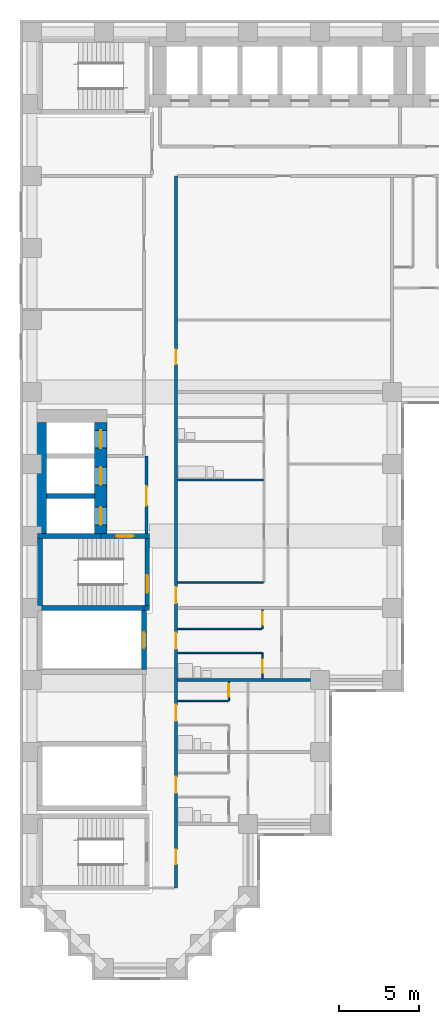
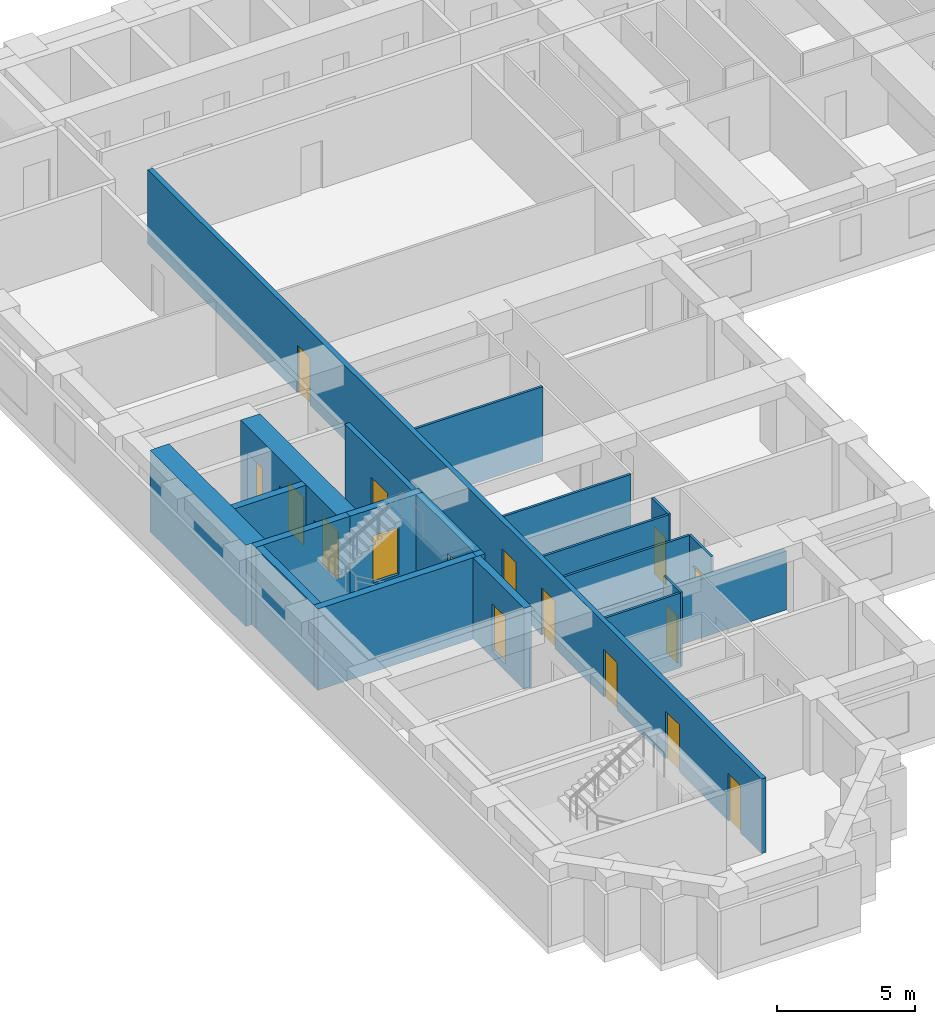
# One storey, part 3 of 12: 21 walls, 16 doors, 16 openings.
"""IFC4 building model written with IfcOpenShell, lengths in metres."""

from ifc_helpers import new_model, si_unit, direction, frame, frame_2d, origin, place, context, subcontext, project, spatial, rectangle, extrude, material, layer, layer_set, type_object, element, fill, save


model = new_model("IFC4")

# Units and contexts
model_context = context("Model", 3, precision=1e-05, world=origin(), true_north=direction((0.0, 1.0)))
body_context = subcontext(model_context, "Body", "Model", "MODEL_VIEW")
ifc_project = project(units=[si_unit("LENGTHUNIT", "METRE"), si_unit("AREAUNIT", "SQUARE_METRE"), si_unit("VOLUMEUNIT", "CUBIC_METRE"), si_unit("PLANEANGLEUNIT", "RADIAN"), si_unit("MASSUNIT", "GRAM", prefix="KILO")], contexts=[model_context])

# Site, building, storey
site_placement = place(None, origin())
site = spatial("IfcSite", under=ifc_project, at=site_placement, CompositionType="ELEMENT")
building_placement = place(site_placement, origin())
building = spatial("IfcBuilding", under=site, at=building_placement, Name="Firuza Court", CompositionType="ELEMENT")
storey_placement = place(building_placement, frame((0.0, 0.0, 39.800048828125)))
storey = spatial("IfcBuildingStorey", under=building, at=storey_placement, Name="L08", CompositionType="ELEMENT", Elevation=39.800048828125)

# Walls
ifc_material_1 = material(Name="Moisture-resistant gypsum board partition")
ifc_layer_1 = layer(ifc_material_1, 0.10009765625)
ifc_layer_set_1 = layer_set([ifc_layer_1], Name="Moisture-resistant gypsum board partition")
wall_type_1 = type_object("IfcWallType", Name="Bathroom partition 100", PredefinedType="PLUMBINGWALL", material=ifc_layer_set_1)
wall_1_placement = place(storey_placement, frame((9.10009765625, 19.699951171875, 0.0), z_axis=(0.0, 0.0, 1.0), x_axis=(1.0, 0.0, 0.0)))
element("IfcWall", 1, at=wall_1_placement, inside=storey, type_object=wall_type_1, Name="Bathroom partition 100 L08", PredefinedType="PLUMBINGWALL", context=body_context, shape_type="SweptSolid", body=[
    extrude(rectangle(XDim=5.25, YDim=0.10009765625, at=frame_2d((2.625, 0.0))), origin(), (0.0, 0.0, 1.0), 3.300048828125),
])
wall_2_placement = place(storey_placement, frame((9.10009765625, 30.5, 0.0), z_axis=(0.0, 0.0, 1.0), x_axis=(1.0, 0.0, 0.0)))
element("IfcWall", 2, at=wall_2_placement, inside=storey, type_object=wall_type_1, Name="Bathroom partition 100 L08", PredefinedType="PLUMBINGWALL", context=body_context, shape_type="SweptSolid", body=[
    extrude(rectangle(XDim=5.349853515625, YDim=0.10009765625, at=frame_2d((2.6748046875, 0.0))), origin(), (0.0, 0.0, 1.0), 3.300048828125),
])
ifc_material_2 = material(Name="Concrete C60/75", Category="concrete")
ifc_layer_2 = layer(ifc_material_2, 0.300048828125)
ifc_layer_set_2 = layer_set([ifc_layer_2], Name="Concrete C60/75")
wall_type_2 = type_object("IfcWallType", Name="Core wall 300 C60/75", PredefinedType="SHEAR", material=ifc_layer_set_2)
wall_3_placement = place(storey_placement, frame((0.35009765625, 22.5, -0.300048828125), z_axis=(0.0, 0.0, 1.0), x_axis=(1.0, 0.0, 0.0)))
element("IfcWall", 3, at=wall_3_placement, inside=storey, type_object=wall_type_2, Name="Core wall riser L08", PredefinedType="SHEAR", context=body_context, shape_type="SweptSolid", body=[
    extrude(rectangle(XDim=6.64990234375, YDim=0.300048828125, at=frame_2d((3.324951171875, 0.0))), origin(), (0.0, 0.0, 1.0), 3.60009765625),
])
wall_4_placement = place(storey_placement, frame((0.35009765625, 27.0, -0.300048828125), z_axis=(0.0, 0.0, 1.0), x_axis=(1.0, 0.0, 0.0)))
element("IfcWall", 4, at=wall_4_placement, inside=storey, type_object=wall_type_2, Name="Core wall lift shaft L08", PredefinedType="SHEAR", context=body_context, shape_type="SweptSolid", body=[
    extrude(rectangle(XDim=3.949951171875, YDim=0.300048828125, at=frame_2d((1.97509765625, 0.0))), origin(), (0.0, 0.0, 1.0), 3.60009765625),
])
wall_5_placement = place(storey_placement, frame((0.5, 22.64990234375, -0.300048828125), z_axis=(0.0, 0.0, 1.0), x_axis=(0.0, 1.0, 0.0)))
element("IfcWall", 5, at=wall_5_placement, inside=storey, type_object=wall_type_2, Name="Core wall stair L08", PredefinedType="SHEAR", context=body_context, shape_type="SweptSolid", body=[
    extrude(rectangle(XDim=4.2001953125, YDim=0.300048828125, at=frame_2d((2.10009765625, 0.0))), origin(), (0.0, 0.0, 1.0), 3.60009765625),
])
wall_6_placement = place(storey_placement, frame((0.89990234375, 29.5, -0.300048828125), z_axis=(0.0, 0.0, 1.0), x_axis=(1.0, 0.0, 0.0)))
element("IfcWall", 6, at=wall_6_placement, inside=storey, type_object=wall_type_2, Name="Core wall lift shaft L08", PredefinedType="SHEAR", context=body_context, shape_type="SweptSolid", body=[
    extrude(rectangle(XDim=3.0, YDim=0.300048828125, at=frame_2d((1.5, 0.0))), origin(), (0.0, 0.0, 1.0), 3.60009765625),
])

# Wall, opening, door
wall_7_placement = place(storey_placement, frame((4.300048828125, 27.0, -0.300048828125), z_axis=(0.0, 0.0, 1.0), x_axis=(1.0, 0.0, 0.0)))
wall_7 = element("IfcWall", 7, at=wall_7_placement, inside=storey, type_object=wall_type_2, Name="Core wall stair L08", PredefinedType="SHEAR", context=body_context, shape_type="SweptSolid", body=[
    extrude(rectangle(XDim=3.050048828125, YDim=0.300048828125, at=frame_2d((1.52490234375, 0.0))), origin(), (0.0, 0.0, 1.0), 3.60009765625),
])
opening_1_placement = place(wall_7_placement, frame((0.949951171875, 0.0, 0.300048828125)))
opening_1 = element("IfcOpeningElement", 8, at=opening_1_placement, cuts=wall_7, Name="Opening D08014", PredefinedType="OPENING", context=body_context, shape_type="SweptSolid", body=[
    extrude(rectangle(XDim=1.10009765625, YDim=2.10009765625, at=frame_2d((0.550048828125, 1.050048828125))), frame((0.0, 0.162109375, 0.0), z_axis=(0.0, -1.0, 0.0), x_axis=(1.0, 0.0, 0.0)), (0.0, 0.0, 1.0), 0.323974609375),
])
ifc_material_3 = material(Name="Timber door leaf in hardwood frame", Category="wood")
door_type_1 = type_object("IfcDoorType", Name="Stair door 1100", OperationType="SINGLE_SWING_LEFT", PredefinedType="DOOR", material=ifc_material_3)
door_1_placement = place(opening_1_placement, frame((1.10009765625, 0.0, 0.0), z_axis=(0.0, 0.0, 1.0), x_axis=(-1.0, 0.0, 0.0)))
door_1 = element("IfcDoor", 9, at=door_1_placement, inside=storey, type_object=door_type_1, Name="Fire-fighting lobby door", OperationType="SINGLE_SWING_LEFT", OverallHeight=2.10009765625, OverallWidth=1.10009765625, PredefinedType="DOOR", context=body_context, shape_type="SweptSolid", body=[
    extrude(rectangle(XDim=1.10009765625, YDim=2.10009765625, at=frame_2d((0.550048828125, 1.050048828125))), frame((0.0, 0.02490234375, 0.0), z_axis=(0.0, -1.0, 0.0), x_axis=(1.0, 0.0, 0.0)), (0.0, 0.0, 1.0), 0.050048828125),
])
fill(opening_1, door_1)

wall_8_placement = place(storey_placement, frame((7.0, 18.64990234375, -0.300048828125), z_axis=(0.0, 0.0, 1.0), x_axis=(0.0, 1.0, 0.0)))
wall_8 = element("IfcWall", 10, at=wall_8_placement, inside=storey, type_object=wall_type_2, Name="Core wall riser L08", PredefinedType="SHEAR", context=body_context, shape_type="SweptSolid", body=[
    extrude(rectangle(XDim=3.7001953125, YDim=0.300048828125, at=frame_2d((1.85009765625, 0.0))), origin(), (0.0, 0.0, 1.0), 3.60009765625),
])
opening_2_placement = place(wall_8_placement, frame((1.35009765625, 0.0, 0.300048828125)))
opening_2 = element("IfcOpeningElement", 11, at=opening_2_placement, cuts=wall_8, Name="Opening D08010", PredefinedType="OPENING", context=body_context, shape_type="SweptSolid", body=[
    extrude(rectangle(XDim=1.0, YDim=2.10009765625, at=frame_2d((0.5, 1.050048828125))), frame((0.0, 0.162109375, 0.0), z_axis=(0.0, -1.0, 0.0), x_axis=(1.0, 0.0, 0.0)), (0.0, 0.0, 1.0), 0.323974609375),
])
ifc_material_4 = material(Name="Timber door leaf in hardwood frame", Category="wood")
door_type_2 = type_object("IfcDoorType", Name="Riser door 1000", OperationType="SINGLE_SWING_LEFT", PredefinedType="DOOR", material=ifc_material_4)
door_2_placement = place(opening_2_placement, origin())
door_2 = element("IfcDoor", 12, at=door_2_placement, inside=storey, type_object=door_type_2, Name="Riser door R1", OperationType="SINGLE_SWING_LEFT", OverallHeight=2.10009765625, OverallWidth=1.0, PredefinedType="DOOR", context=body_context, shape_type="SweptSolid", body=[
    extrude(rectangle(XDim=1.0, YDim=2.10009765625, at=frame_2d((0.5, 1.050048828125))), frame((0.0, 0.02490234375, 0.0), z_axis=(0.0, -1.0, 0.0), x_axis=(1.0, 0.0, 0.0)), (0.0, 0.0, 1.0), 0.050048828125),
])
fill(opening_2, door_2)

# Wall
wall_9_placement = place(storey_placement, frame((7.0, 22.5, -0.300048828125), z_axis=(0.0, 0.0, 1.0), x_axis=(1.0, 0.0, 0.0)))
element("IfcWall", 13, at=wall_9_placement, inside=storey, type_object=wall_type_2, Name="Core wall stair L08", PredefinedType="SHEAR", context=body_context, shape_type="SweptSolid", body=[
    extrude(rectangle(XDim=0.35009765625, YDim=0.300048828125, at=frame_2d((0.175048828125, 0.0))), origin(), (0.0, 0.0, 1.0), 3.60009765625),
])

# Wall, opening, door
wall_10_placement = place(storey_placement, frame((7.199951171875, 22.64990234375, -0.300048828125), z_axis=(0.0, 0.0, 1.0), x_axis=(0.0, 1.0, 0.0)))
wall_10 = element("IfcWall", 14, at=wall_10_placement, inside=storey, type_object=wall_type_2, Name="Core wall stair L08", PredefinedType="SHEAR", context=body_context, shape_type="SweptSolid", body=[
    extrude(rectangle(XDim=4.2001953125, YDim=0.300048828125, at=frame_2d((2.10009765625, 0.0))), origin(), (0.0, 0.0, 1.0), 3.60009765625),
])
opening_3_placement = place(wall_10_placement, frame((0.800048828125, 0.0, 0.300048828125)))
opening_3 = element("IfcOpeningElement", 15, at=opening_3_placement, cuts=wall_10, Name="Opening D08015", PredefinedType="OPENING", context=body_context, shape_type="SweptSolid", body=[
    extrude(rectangle(XDim=1.10009765625, YDim=2.10009765625, at=frame_2d((0.550048828125, 1.050048828125))), frame((0.0, 0.162109375, 0.0), z_axis=(0.0, -1.0, 0.0), x_axis=(1.0, 0.0, 0.0)), (0.0, 0.0, 1.0), 0.323974609375),
])
door_3_placement = place(opening_3_placement, origin())
door_3 = element("IfcDoor", 16, at=door_3_placement, inside=storey, type_object=door_type_1, Name="Stair door S2", OperationType="SINGLE_SWING_LEFT", OverallHeight=2.10009765625, OverallWidth=1.10009765625, PredefinedType="DOOR", context=body_context, shape_type="SweptSolid", body=[
    extrude(rectangle(XDim=1.10009765625, YDim=2.10009765625, at=frame_2d((0.550048828125, 1.050048828125))), frame((0.0, 0.02490234375, 0.0), z_axis=(0.0, -1.0, 0.0), x_axis=(1.0, 0.0, 0.0)), (0.0, 0.0, 1.0), 0.050048828125),
])
fill(opening_3, door_3)

# Wall
ifc_layer_3 = layer(ifc_material_2, 0.800048828125)
ifc_layer_set_3 = layer_set([ifc_layer_3], Name="Concrete C60/75")
wall_type_3 = type_object("IfcWallType", Name="Core wall 800 C60/75", PredefinedType="SHEAR", material=ifc_layer_set_3)
wall_11_placement = place(storey_placement, frame((0.5, 27.14990234375, -0.300048828125), z_axis=(0.0, 0.0, 1.0), x_axis=(0.0, 1.0, 0.0)))
element("IfcWall", 17, at=wall_11_placement, inside=storey, type_object=wall_type_3, Name="Core wall lift shaft L08", PredefinedType="SHEAR", context=body_context, shape_type="SweptSolid", body=[
    extrude(rectangle(XDim=6.9501953125, YDim=0.800048828125, at=frame_2d((3.47509765625, 0.0))), origin(), (0.0, 0.0, 1.0), 3.60009765625),
])

# Wall, openings, doors
wall_12_placement = place(storey_placement, frame((4.300048828125, 27.14990234375, -0.300048828125), z_axis=(0.0, 0.0, 1.0), x_axis=(0.0, 1.0, 0.0)))
wall_12 = element("IfcWall", 18, at=wall_12_placement, inside=storey, type_object=wall_type_3, Name="Core wall lift shaft L08", PredefinedType="SHEAR", context=body_context, shape_type="SweptSolid", body=[
    extrude(rectangle(XDim=6.9501953125, YDim=0.800048828125, at=frame_2d((3.47509765625, 0.0))), origin(), (0.0, 0.0, 1.0), 3.60009765625),
])
opening_4_placement = place(wall_12_placement, frame((3.050048828125, 0.0, 0.300048828125)))
opening_4 = element("IfcOpeningElement", 19, at=opening_4_placement, cuts=wall_12, Name="Opening LD-FL1-08", PredefinedType="OPENING", context=body_context, shape_type="SweptSolid", body=[
    extrude(rectangle(XDim=1.10009765625, YDim=2.10009765625, at=frame_2d((0.550048828125, 1.050048828125))), frame((0.0, 0.412109375, 0.0), z_axis=(0.0, -1.0, 0.0), x_axis=(1.0, 0.0, 0.0)), (0.0, 0.0, 1.0), 0.823974609375),
])
opening_5_placement = place(wall_12_placement, frame((0.550048828125, 0.0, 0.300048828125)))
opening_5 = element("IfcOpeningElement", 20, at=opening_5_placement, cuts=wall_12, Name="Opening LD-FL2-08", PredefinedType="OPENING", context=body_context, shape_type="SweptSolid", body=[
    extrude(rectangle(XDim=1.10009765625, YDim=2.10009765625, at=frame_2d((0.550048828125, 1.050048828125))), frame((0.0, 0.412109375, 0.0), z_axis=(0.0, -1.0, 0.0), x_axis=(1.0, 0.0, 0.0)), (0.0, 0.0, 1.0), 0.823974609375),
])
opening_6_placement = place(wall_12_placement, frame((5.35009765625, 0.0, 0.300048828125)))
opening_6 = element("IfcOpeningElement", 21, at=opening_6_placement, cuts=wall_12, Name="Opening LD-SL1-08", PredefinedType="OPENING", context=body_context, shape_type="SweptSolid", body=[
    extrude(rectangle(XDim=1.10009765625, YDim=2.10009765625, at=frame_2d((0.550048828125, 1.050048828125))), frame((0.0, 0.412109375, 0.0), z_axis=(0.0, -1.0, 0.0), x_axis=(1.0, 0.0, 0.0)), (0.0, 0.0, 1.0), 0.823974609375),
])
ifc_material_5 = material(Name="Stainless steel 1.4301 door leaf", Category="steel")
door_type_3 = type_object("IfcDoorType", Name="Lift landing door 1100", OperationType="SLIDING_TO_LEFT", PredefinedType="DOOR", material=ifc_material_5)
door_4_placement = place(opening_4_placement, origin())
door_4 = element("IfcDoor", 22, at=door_4_placement, inside=storey, type_object=door_type_3, Name="Landing door FL1", OperationType="SLIDING_TO_LEFT", OverallHeight=2.10009765625, OverallWidth=1.10009765625, PredefinedType="DOOR", context=body_context, shape_type="SweptSolid", body=[
    extrude(rectangle(XDim=1.10009765625, YDim=2.10009765625, at=frame_2d((0.550048828125, 1.050048828125))), frame((0.0, 0.02490234375, 0.0), z_axis=(0.0, -1.0, 0.0), x_axis=(1.0, 0.0, 0.0)), (0.0, 0.0, 1.0), 0.050048828125),
])
fill(opening_4, door_4)
door_5_placement = place(opening_5_placement, origin())
door_5 = element("IfcDoor", 23, at=door_5_placement, inside=storey, type_object=door_type_3, Name="Landing door FL2", OperationType="SLIDING_TO_LEFT", OverallHeight=2.10009765625, OverallWidth=1.10009765625, PredefinedType="DOOR", context=body_context, shape_type="SweptSolid", body=[
    extrude(rectangle(XDim=1.10009765625, YDim=2.10009765625, at=frame_2d((0.550048828125, 1.050048828125))), frame((0.0, 0.02490234375, 0.0), z_axis=(0.0, -1.0, 0.0), x_axis=(1.0, 0.0, 0.0)), (0.0, 0.0, 1.0), 0.050048828125),
])
fill(opening_5, door_5)
door_6_placement = place(opening_6_placement, origin())
door_6 = element("IfcDoor", 24, at=door_6_placement, inside=storey, type_object=door_type_3, Name="Landing door SL1", OperationType="SLIDING_TO_LEFT", OverallHeight=2.10009765625, OverallWidth=1.10009765625, PredefinedType="DOOR", context=body_context, shape_type="SweptSolid", body=[
    extrude(rectangle(XDim=1.10009765625, YDim=2.10009765625, at=frame_2d((0.550048828125, 1.050048828125))), frame((0.0, 0.02490234375, 0.0), z_axis=(0.0, -1.0, 0.0), x_axis=(1.0, 0.0, 0.0)), (0.0, 0.0, 1.0), 0.050048828125),
])
fill(opening_6, door_6)

ifc_material_6 = material(Name="Blockwork, plastered both sides", Category="masonry")
ifc_layer_4 = layer(ifc_material_6, 0.199951171875)
ifc_layer_set_4 = layer_set([ifc_layer_4], Name="Blockwork, plastered both sides")
wall_type_4 = type_object("IfcWallType", Name="Corridor wall 200", PredefinedType="PARTITIONING", material=ifc_layer_set_4)
wall_13_placement = place(storey_placement, frame((9.0, 5.0, 0.0), z_axis=(0.0, 0.0, 1.0), x_axis=(0.0, 1.0, 0.0)))
wall_13 = element("IfcWall", 25, at=wall_13_placement, inside=storey, type_object=wall_type_4, Name="Corridor wall 200 L08", PredefinedType="PARTITIONING", context=body_context, shape_type="SweptSolid", body=[
    extrude(rectangle(XDim=44.5, YDim=0.199951171875, at=frame_2d((22.25, 0.0))), origin(), (0.0, 0.0, 1.0), 3.300048828125),
])
opening_7_placement = place(wall_13_placement, frame((17.800048828125, 0.0, 0.0)))
opening_7 = element("IfcOpeningElement", 26, at=opening_7_placement, cuts=wall_13, Name="Opening D08019", PredefinedType="OPENING", context=body_context, shape_type="SweptSolid", body=[
    extrude(rectangle(XDim=1.0, YDim=2.10009765625, at=frame_2d((0.5, 1.050048828125))), frame((0.0, 0.11181640625, 0.0), z_axis=(0.0, -1.0, 0.0), x_axis=(1.0, 0.0, 0.0)), (0.0, 0.0, 1.0), 0.223876953125),
])
opening_8_placement = place(wall_13_placement, frame((14.949951171875, 0.0, 0.0)))
opening_8 = element("IfcOpeningElement", 27, at=opening_8_placement, cuts=wall_13, Name="Opening D08020", PredefinedType="OPENING", context=body_context, shape_type="SweptSolid", body=[
    extrude(rectangle(XDim=1.0, YDim=2.10009765625, at=frame_2d((0.5, 1.050048828125))), frame((0.0, 0.11181640625, 0.0), z_axis=(0.0, -1.0, 0.0), x_axis=(1.0, 0.0, 0.0)), (0.0, 0.0, 1.0), 0.223876953125),
])
opening_9_placement = place(wall_13_placement, frame((10.449951171875, 0.0, 0.0)))
opening_9 = element("IfcOpeningElement", 28, at=opening_9_placement, cuts=wall_13, Name="Opening D08021", PredefinedType="OPENING", context=body_context, shape_type="SweptSolid", body=[
    extrude(rectangle(XDim=1.0, YDim=2.10009765625, at=frame_2d((0.5, 1.050048828125))), frame((0.0, 0.11181640625, 0.0), z_axis=(0.0, -1.0, 0.0), x_axis=(1.0, 0.0, 0.0)), (0.0, 0.0, 1.0), 0.223876953125),
])
opening_10_placement = place(wall_13_placement, frame((5.949951171875, 0.0, 0.0)))
opening_10 = element("IfcOpeningElement", 29, at=opening_10_placement, cuts=wall_13, Name="Opening D08022", PredefinedType="OPENING", context=body_context, shape_type="SweptSolid", body=[
    extrude(rectangle(XDim=1.0, YDim=2.10009765625, at=frame_2d((0.5, 1.050048828125))), frame((0.0, 0.11181640625, 0.0), z_axis=(0.0, -1.0, 0.0), x_axis=(1.0, 0.0, 0.0)), (0.0, 0.0, 1.0), 0.223876953125),
])
opening_11_placement = place(wall_13_placement, frame((32.75, 0.0, 0.0)))
opening_11 = element("IfcOpeningElement", 30, at=opening_11_placement, cuts=wall_13, Name="Opening D08023", PredefinedType="OPENING", context=body_context, shape_type="SweptSolid", body=[
    extrude(rectangle(XDim=0.89990234375, YDim=2.10009765625, at=frame_2d((0.449951171875, 1.050048828125))), frame((0.0, 0.11181640625, 0.0), z_axis=(0.0, -1.0, 0.0), x_axis=(1.0, 0.0, 0.0)), (0.0, 0.0, 1.0), 0.223876953125),
])
opening_12_placement = place(wall_13_placement, frame((1.5, 0.0, 0.0)))
opening_12 = element("IfcOpeningElement", 31, at=opening_12_placement, cuts=wall_13, Name="Opening D08024", PredefinedType="OPENING", context=body_context, shape_type="SweptSolid", body=[
    extrude(rectangle(XDim=0.89990234375, YDim=2.10009765625, at=frame_2d((0.449951171875, 1.050048828125))), frame((0.0, 0.11181640625, 0.0), z_axis=(0.0, -1.0, 0.0), x_axis=(1.0, 0.0, 0.0)), (0.0, 0.0, 1.0), 0.223876953125),
])
ifc_material_7 = material(Name="Timber door leaf in hardwood frame", Category="wood")
door_type_4 = type_object("IfcDoorType", Name="Flat entrance door 1000", OperationType="SINGLE_SWING_LEFT", PredefinedType="DOOR", material=ifc_material_7)
door_7_placement = place(opening_7_placement, origin())
door_7 = element("IfcDoor", 32, at=door_7_placement, inside=storey, type_object=door_type_4, Name="Flat entrance door", OperationType="SINGLE_SWING_LEFT", OverallHeight=2.10009765625, OverallWidth=1.0, PredefinedType="DOOR", context=body_context, shape_type="SweptSolid", body=[
    extrude(rectangle(XDim=1.0, YDim=2.10009765625, at=frame_2d((0.5, 1.050048828125))), frame((0.0, 0.02490234375, 0.0), z_axis=(0.0, -1.0, 0.0), x_axis=(1.0, 0.0, 0.0)), (0.0, 0.0, 1.0), 0.050048828125),
])
fill(opening_7, door_7)
door_8_placement = place(opening_8_placement, origin())
door_8 = element("IfcDoor", 33, at=door_8_placement, inside=storey, type_object=door_type_4, Name="Flat entrance door", OperationType="SINGLE_SWING_LEFT", OverallHeight=2.10009765625, OverallWidth=1.0, PredefinedType="DOOR", context=body_context, shape_type="SweptSolid", body=[
    extrude(rectangle(XDim=1.0, YDim=2.10009765625, at=frame_2d((0.5, 1.050048828125))), frame((0.0, 0.02490234375, 0.0), z_axis=(0.0, -1.0, 0.0), x_axis=(1.0, 0.0, 0.0)), (0.0, 0.0, 1.0), 0.050048828125),
])
fill(opening_8, door_8)
door_9_placement = place(opening_9_placement, origin())
door_9 = element("IfcDoor", 34, at=door_9_placement, inside=storey, type_object=door_type_4, Name="Flat entrance door", OperationType="SINGLE_SWING_LEFT", OverallHeight=2.10009765625, OverallWidth=1.0, PredefinedType="DOOR", context=body_context, shape_type="SweptSolid", body=[
    extrude(rectangle(XDim=1.0, YDim=2.10009765625, at=frame_2d((0.5, 1.050048828125))), frame((0.0, 0.02490234375, 0.0), z_axis=(0.0, -1.0, 0.0), x_axis=(1.0, 0.0, 0.0)), (0.0, 0.0, 1.0), 0.050048828125),
])
fill(opening_9, door_9)
door_10_placement = place(opening_10_placement, origin())
door_10 = element("IfcDoor", 35, at=door_10_placement, inside=storey, type_object=door_type_4, Name="Flat entrance door", OperationType="SINGLE_SWING_LEFT", OverallHeight=2.10009765625, OverallWidth=1.0, PredefinedType="DOOR", context=body_context, shape_type="SweptSolid", body=[
    extrude(rectangle(XDim=1.0, YDim=2.10009765625, at=frame_2d((0.5, 1.050048828125))), frame((0.0, 0.02490234375, 0.0), z_axis=(0.0, -1.0, 0.0), x_axis=(1.0, 0.0, 0.0)), (0.0, 0.0, 1.0), 0.050048828125),
])
fill(opening_10, door_10)
ifc_material_8 = material(Name="Timber door leaf in hardwood frame", Category="wood")
door_type_5 = type_object("IfcDoorType", Name="Room door 900 EI 30", OperationType="SINGLE_SWING_LEFT", PredefinedType="DOOR", material=ifc_material_8)
door_11_placement = place(opening_11_placement, origin())
door_11 = element("IfcDoor", 36, at=door_11_placement, inside=storey, type_object=door_type_5, Name="Fitness studio door", OperationType="SINGLE_SWING_LEFT", OverallHeight=2.10009765625, OverallWidth=0.89990234375, PredefinedType="DOOR", context=body_context, shape_type="SweptSolid", body=[
    extrude(rectangle(XDim=0.89990234375, YDim=2.10009765625, at=frame_2d((0.449951171875, 1.050048828125))), frame((0.0, 0.02490234375, 0.0), z_axis=(0.0, -1.0, 0.0), x_axis=(1.0, 0.0, 0.0)), (0.0, 0.0, 1.0), 0.050048828125),
])
fill(opening_11, door_11)
door_12_placement = place(opening_12_placement, frame((0.89990234375, 0.0, 0.0), z_axis=(0.0, 0.0, 1.0), x_axis=(-1.0, 0.0, 0.0)))
door_12 = element("IfcDoor", 37, at=door_12_placement, inside=storey, type_object=door_type_5, Name="Meeting room door", OperationType="SINGLE_SWING_LEFT", OverallHeight=2.10009765625, OverallWidth=0.89990234375, PredefinedType="DOOR", context=body_context, shape_type="SweptSolid", body=[
    extrude(rectangle(XDim=0.89990234375, YDim=2.10009765625, at=frame_2d((0.449951171875, 1.050048828125))), frame((0.0, 0.02490234375, 0.0), z_axis=(0.0, -1.0, 0.0), x_axis=(1.0, 0.0, 0.0)), (0.0, 0.0, 1.0), 0.050048828125),
])
fill(opening_12, door_12)

# Wall
ifc_material_9 = material(Name="Timber stud partition, plasterboard both sides", Category="wood")
ifc_layer_5 = layer(ifc_material_9, 0.10009765625)
ifc_layer_set_5 = layer_set([ifc_layer_5], Name="Timber stud partition, plasterboard both sides")
wall_type_5 = type_object("IfcWallType", Name="Partition wall 100", PredefinedType="PARTITIONING", material=ifc_layer_set_5)
wall_14_placement = place(storey_placement, frame((9.10009765625, 16.699951171875, 0.0), z_axis=(0.0, 0.0, 1.0), x_axis=(1.0, 0.0, 0.0)))
element("IfcWall", 38, at=wall_14_placement, inside=storey, type_object=wall_type_5, Name="Partition wall 100 L08", PredefinedType="PARTITIONING", context=body_context, shape_type="SweptSolid", body=[
    extrude(rectangle(XDim=3.14990234375, YDim=0.10009765625, at=frame_2d((1.574951171875, 0.0))), origin(), (0.0, 0.0, 1.0), 3.300048828125),
])

# Wall, opening, door
wall_15_placement = place(storey_placement, frame((12.300048828125, 16.699951171875, 0.0), z_axis=(0.0, 0.0, 1.0), x_axis=(0.0, 1.0, 0.0)))
wall_15 = element("IfcWall", 39, at=wall_15_placement, inside=storey, type_object=wall_type_5, Name="Partition wall 100 L08", PredefinedType="PARTITIONING", context=body_context, shape_type="SweptSolid", body=[
    extrude(rectangle(XDim=1.199951171875, YDim=0.10009765625, at=frame_2d((0.60009765625, 0.0))), origin(), (0.0, 0.0, 1.0), 3.300048828125),
])
opening_13_placement = place(wall_15_placement, frame((0.25, 0.0, 0.0)))
opening_13 = element("IfcOpeningElement", 40, at=opening_13_placement, cuts=wall_15, Name="Opening D08031", PredefinedType="OPENING", context=body_context, shape_type="SweptSolid", body=[
    extrude(rectangle(XDim=0.800048828125, YDim=2.10009765625, at=frame_2d((0.39990234375, 1.050048828125))), frame((0.0, 0.06201171875, 0.0), z_axis=(0.0, -1.0, 0.0), x_axis=(1.0, 0.0, 0.0)), (0.0, 0.0, 1.0), 0.1240234375),
])
ifc_material_10 = material(Name="Timber door leaf in hardwood frame", Category="wood")
door_type_6 = type_object("IfcDoorType", Name="Room door 800", OperationType="SINGLE_SWING_LEFT", PredefinedType="DOOR", material=ifc_material_10)
door_13_placement = place(opening_13_placement, origin())
door_13 = element("IfcDoor", 41, at=door_13_placement, inside=storey, type_object=door_type_6, Name="Kitchen door", OperationType="SINGLE_SWING_LEFT", OverallHeight=2.10009765625, OverallWidth=0.800048828125, PredefinedType="DOOR", context=body_context, shape_type="SweptSolid", body=[
    extrude(rectangle(XDim=0.800048828125, YDim=2.10009765625, at=frame_2d((0.39990234375, 1.050048828125))), frame((0.0, 0.02490234375, 0.0), z_axis=(0.0, -1.0, 0.0), x_axis=(1.0, 0.0, 0.0)), (0.0, 0.0, 1.0), 0.050048828125),
])
fill(opening_13, door_13)

wall_16_placement = place(storey_placement, frame((14.39990234375, 18.10009765625, 0.0), z_axis=(0.0, 0.0, 1.0), x_axis=(0.0, 1.0, 0.0)))
wall_16 = element("IfcWall", 42, at=wall_16_placement, inside=storey, type_object=wall_type_5, Name="Partition wall 100 L08", PredefinedType="PARTITIONING", context=body_context, shape_type="SweptSolid", body=[
    extrude(rectangle(XDim=1.599853515625, YDim=0.10009765625, at=frame_2d((0.7998046875, 0.0))), origin(), (0.0, 0.0, 1.0), 3.300048828125),
])
opening_14_placement = place(wall_16_placement, frame((0.35009765625, 0.0, 0.0)))
opening_14 = element("IfcOpeningElement", 43, at=opening_14_placement, cuts=wall_16, Name="Opening D08032", PredefinedType="OPENING", context=body_context, shape_type="SweptSolid", body=[
    extrude(rectangle(XDim=0.800048828125, YDim=2.10009765625, at=frame_2d((0.39990234375, 1.050048828125))), frame((0.0, 0.06201171875, 0.0), z_axis=(0.0, -1.0, 0.0), x_axis=(1.0, 0.0, 0.0)), (0.0, 0.0, 1.0), 0.1240234375),
])
ifc_material_11 = material(Name="Timber door leaf in hardwood frame", Category="wood")
door_type_7 = type_object("IfcDoorType", Name="Bathroom door 800", OperationType="SINGLE_SWING_LEFT", PredefinedType="DOOR", material=ifc_material_11)
door_14_placement = place(opening_14_placement, origin())
door_14 = element("IfcDoor", 44, at=door_14_placement, inside=storey, type_object=door_type_7, Name="Bathroom door", OperationType="SINGLE_SWING_LEFT", OverallHeight=2.10009765625, OverallWidth=0.800048828125, PredefinedType="DOOR", context=body_context, shape_type="SweptSolid", body=[
    extrude(rectangle(XDim=0.800048828125, YDim=2.10009765625, at=frame_2d((0.39990234375, 1.050048828125))), frame((0.0, 0.02490234375, 0.0), z_axis=(0.0, -1.0, 0.0), x_axis=(1.0, 0.0, 0.0)), (0.0, 0.0, 1.0), 0.050048828125),
])
fill(opening_14, door_14)

# Wall
wall_17_placement = place(storey_placement, frame((9.10009765625, 21.199951171875, 0.0), z_axis=(0.0, 0.0, 1.0), x_axis=(1.0, 0.0, 0.0)))
element("IfcWall", 45, at=wall_17_placement, inside=storey, type_object=wall_type_5, Name="Partition wall 100 L08", PredefinedType="PARTITIONING", context=body_context, shape_type="SweptSolid", body=[
    extrude(rectangle(XDim=5.25, YDim=0.10009765625, at=frame_2d((2.625, 0.0))), origin(), (0.0, 0.0, 1.0), 3.300048828125),
])

# Wall, opening, door
wall_18_placement = place(storey_placement, frame((14.39990234375, 21.199951171875, 0.0), z_axis=(0.0, 0.0, 1.0), x_axis=(0.0, 1.0, 0.0)))
wall_18 = element("IfcWall", 46, at=wall_18_placement, inside=storey, type_object=wall_type_5, Name="Partition wall 100 L08", PredefinedType="PARTITIONING", context=body_context, shape_type="SweptSolid", body=[
    extrude(rectangle(XDim=1.199951171875, YDim=0.10009765625, at=frame_2d((0.60009765625, 0.0))), origin(), (0.0, 0.0, 1.0), 3.300048828125),
])
opening_15_placement = place(wall_18_placement, frame((0.25, 0.0, 0.0)))
opening_15 = element("IfcOpeningElement", 47, at=opening_15_placement, cuts=wall_18, Name="Opening D08034", PredefinedType="OPENING", context=body_context, shape_type="SweptSolid", body=[
    extrude(rectangle(XDim=0.800048828125, YDim=2.10009765625, at=frame_2d((0.39990234375, 1.050048828125))), frame((0.0, 0.06201171875, 0.0), z_axis=(0.0, -1.0, 0.0), x_axis=(1.0, 0.0, 0.0)), (0.0, 0.0, 1.0), 0.1240234375),
])
door_15_placement = place(opening_15_placement, origin())
door_15 = element("IfcDoor", 48, at=door_15_placement, inside=storey, type_object=door_type_6, Name="Kitchen door", OperationType="SINGLE_SWING_LEFT", OverallHeight=2.10009765625, OverallWidth=0.800048828125, PredefinedType="DOOR", context=body_context, shape_type="SweptSolid", body=[
    extrude(rectangle(XDim=0.800048828125, YDim=2.10009765625, at=frame_2d((0.39990234375, 1.050048828125))), frame((0.0, 0.02490234375, 0.0), z_axis=(0.0, -1.0, 0.0), x_axis=(1.0, 0.0, 0.0)), (0.0, 0.0, 1.0), 0.050048828125),
])
fill(opening_15, door_15)

# Walls
wall_19_placement = place(storey_placement, frame((9.10009765625, 24.10009765625, 0.0), z_axis=(0.0, 0.0, 1.0), x_axis=(1.0, 0.0, 0.0)))
element("IfcWall", 49, at=wall_19_placement, inside=storey, type_object=wall_type_5, Name="Partition wall 100 L08", PredefinedType="PARTITIONING", context=body_context, shape_type="SweptSolid", body=[
    extrude(rectangle(XDim=5.349853515625, YDim=0.10009765625, at=frame_2d((2.6748046875, 0.0))), origin(), (0.0, 0.0, 1.0), 3.300048828125),
])
ifc_layer_6 = layer(ifc_material_6, 0.199951171875)
ifc_layer_set_6 = layer_set([ifc_layer_6], Name="Blockwork, plastered both sides")
wall_type_6 = type_object("IfcWallType", Name="Party wall 200", PredefinedType="PARTITIONING", material=ifc_layer_set_6)
wall_20_placement = place(storey_placement, frame((9.10009765625, 18.0, 0.0), z_axis=(0.0, 0.0, 1.0), x_axis=(1.0, 0.0, 0.0)))
element("IfcWall", 50, at=wall_20_placement, inside=storey, type_object=wall_type_6, Name="Party wall 200 L08", PredefinedType="PARTITIONING", context=body_context, shape_type="SweptSolid", body=[
    extrude(rectangle(XDim=8.2998046875, YDim=0.199951171875, at=frame_2d((4.14990234375, 0.0))), origin(), (0.0, 0.0, 1.0), 2.599853515625),
])

# Wall, opening, door
ifc_material_12 = material(Name="Blockwork, fire-rated", Category="masonry")
ifc_layer_7 = layer(ifc_material_12, 0.199951171875)
ifc_layer_set_7 = layer_set([ifc_layer_7], Name="Blockwork, fire-rated")
wall_type_7 = type_object("IfcWallType", Name="Shaft wall 200", PredefinedType="PARTITIONING", material=ifc_layer_set_7)
wall_21_placement = place(storey_placement, frame((7.14990234375, 27.169921875, 0.0), z_axis=(0.0, 0.0, 1.0), x_axis=(0.0, 1.0, 0.0)))
wall_21 = element("IfcWall", 51, at=wall_21_placement, inside=storey, type_object=wall_type_7, Name="Shaft wall 200 L08", PredefinedType="PARTITIONING", context=body_context, shape_type="SweptSolid", body=[
    extrude(rectangle(XDim=4.830078125, YDim=0.199951171875, at=frame_2d((2.4150390625, 0.0))), origin(), (0.0, 0.0, 1.0), 3.300048828125),
])
opening_16_placement = place(wall_21_placement, frame((1.72998046875, 0.0, 0.0)))
opening_16 = element("IfcOpeningElement", 52, at=opening_16_placement, cuts=wall_21, Name="Opening D08002", PredefinedType="OPENING", context=body_context, shape_type="SweptSolid", body=[
    extrude(rectangle(XDim=1.199951171875, YDim=2.10009765625, at=frame_2d((0.60009765625, 1.050048828125))), frame((0.0, 0.11181640625, 0.0), z_axis=(0.0, -1.0, 0.0), x_axis=(1.0, 0.0, 0.0)), (0.0, 0.0, 1.0), 0.223876953125),
])
ifc_material_13 = material(Name="Timber door leaf in hardwood frame", Category="wood")
door_type_8 = type_object("IfcDoorType", Name="Lobby door 1200", OperationType="SINGLE_SWING_LEFT", PredefinedType="DOOR", material=ifc_material_13)
door_16_placement = place(opening_16_placement, origin())
door_16 = element("IfcDoor", 53, at=door_16_placement, inside=storey, type_object=door_type_8, Name="Fire-fighting lobby door", OperationType="SINGLE_SWING_LEFT", OverallHeight=2.10009765625, OverallWidth=1.199951171875, PredefinedType="DOOR", context=body_context, shape_type="SweptSolid", body=[
    extrude(rectangle(XDim=1.199951171875, YDim=2.10009765625, at=frame_2d((0.60009765625, 1.050048828125))), frame((0.0, 0.02490234375, 0.0), z_axis=(0.0, -1.0, 0.0), x_axis=(1.0, 0.0, 0.0)), (0.0, 0.0, 1.0), 0.050048828125),
])
fill(opening_16, door_16)

save(model, "model.ifc")
